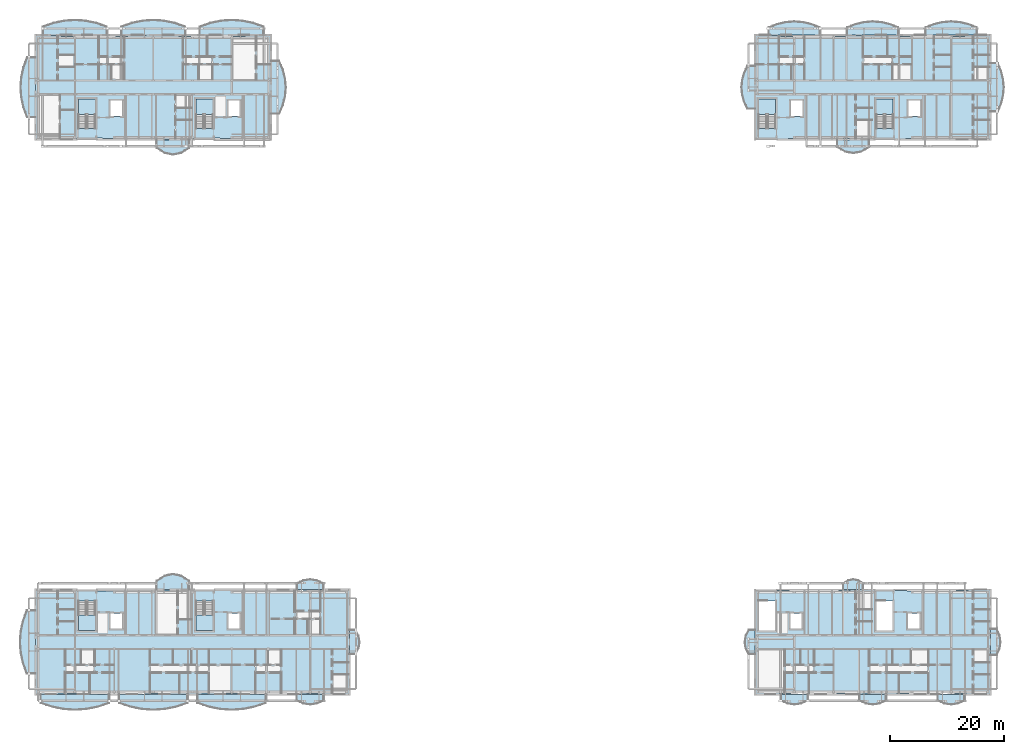
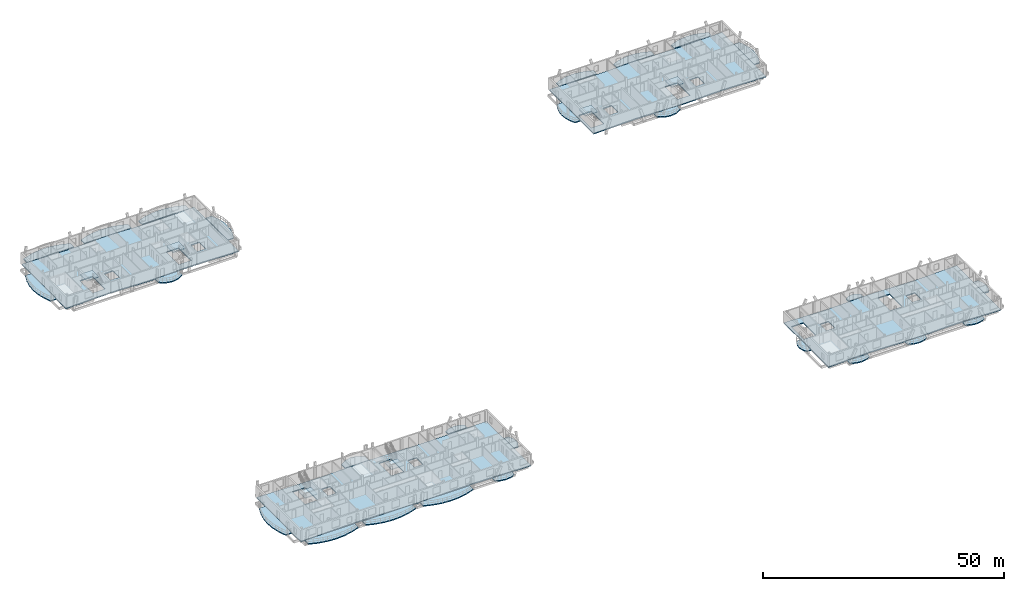
# One storey, part 8 of 41: 36 slabs, 6 elements without a shape of their own.
"""IFC4 building model written with IfcOpenShell, lengths in metres."""

from ifc_helpers import new_model, si_unit, direction, frame, origin, place, context, subcontext, project, spatial, polyline, outline, extrude, material, layer, layer_set, type_object, element, aggregate, save


model = new_model("IFC4")

# Units and contexts
model_context = context("Model", 3, precision=1e-05, world=origin(), true_north=direction((0.0, 1.0)))
body_context = subcontext(model_context, "Body", "Model", "MODEL_VIEW")
ifc_project = project(units=[si_unit("LENGTHUNIT", "METRE"), si_unit("AREAUNIT", "SQUARE_METRE"), si_unit("VOLUMEUNIT", "CUBIC_METRE"), si_unit("PLANEANGLEUNIT", "RADIAN"), si_unit("MASSUNIT", "GRAM", prefix="KILO")], contexts=[model_context])

# Site, building, storey
site_placement = place(None, origin())
site = spatial("IfcSite", under=ifc_project, at=site_placement, CompositionType="ELEMENT")
building_placement = place(site_placement, origin())
building = spatial("IfcBuilding", under=site, at=building_placement, Name="Zavelmont Quarter", CompositionType="ELEMENT")
storey_placement = place(building_placement, frame((0.0, 0.0, 27.199951171875)))
storey = spatial("IfcBuildingStorey", under=building, at=storey_placement, Name="L08", CompositionType="ELEMENT", Elevation=27.199951171875)

# Slabs
ifc_material_1 = material(Name="White architectural precast concrete C40/50", Category="concrete")
ifc_layer_1 = layer(ifc_material_1, 0.235107421875)
ifc_layer_set_1 = layer_set([ifc_layer_1], Name="White architectural precast concrete C40/50")
slab_type_1 = type_object("IfcSlabType", Name="SL-BL180", PredefinedType="FLOOR", material=ifc_layer_set_1)
slab_1_placement = place(storey_placement, frame((0.0, 0.0, -0.23486328125)))
element("IfcSlab", 1, at=slab_1_placement, inside=storey, type_object=slab_type_1, Name="L08 Block A street vase 3 balcony SL-BL180", PredefinedType="FLOOR", context=body_context, shape_type="SweptSolid", body=[
    extrude(outline(polyline([(28.5, -0.02001953125), (28.5, -1.531005859375), (30.5, -2.19921875), (32.5, -2.600341796875), (34.5, -2.73388671875), (36.5, -2.600341796875), (38.5, -2.19921875), (40.5, -1.531005859375), (40.5, -0.02001953125), (28.5, -0.02001953125)])), origin(), (0.0, 0.0, 1.0), 0.23486328125),
])
slab_2_placement = place(storey_placement, frame((0.0, 0.0, -0.23486328125)))
element("IfcSlab", 2, at=slab_2_placement, inside=storey, type_object=slab_type_1, Name="L08 Block A courtyard return vase balcony SL-BL180", PredefinedType="FLOOR", context=body_context, shape_type="SweptSolid", body=[
    extrude(outline(polyline([(55.219970703125, 7.094482421875), (56.300048828125, 7.094482421875), (56.82861328125, 8.147216796875), (57.0048828125, 9.199951171875), (56.82861328125, 10.252685546875), (56.300048828125, 11.305419921875), (55.219970703125, 11.305419921875), (55.219970703125, 7.094482421875)])), origin(), (0.0, 0.0, 1.0), 0.23486328125),
])
slab_3_placement = place(storey_placement, frame((0.0, 0.0, -0.23486328125)))
element("IfcSlab", 3, at=slab_3_placement, inside=storey, type_object=slab_type_1, Name="L08 Block A courtyard outer vase balcony SL-BL180", PredefinedType="FLOOR", context=body_context, shape_type="SweptSolid", body=[
    extrude(outline(polyline([(50.601318359375, 18.419921875), (50.601318359375, 19.5), (49.45068359375, 20.02880859375), (48.300048828125, 20.205078125), (47.1494140625, 20.02880859375), (45.998779296875, 19.5), (45.998779296875, 18.419921875), (50.601318359375, 18.419921875)])), origin(), (0.0, 0.0, 1.0), 0.23486328125),
])
slab_4_placement = place(storey_placement, frame((0.0, 0.0, -0.23486328125)))
element("IfcSlab", 4, at=slab_4_placement, inside=storey, type_object=slab_type_1, Name="L08 Block B street vase 3 balcony SL-BL180", PredefinedType="FLOOR", context=body_context, shape_type="SweptSolid", body=[
    extrude(outline(polyline([(40.109619140625, 116.02001953125), (40.109619140625, 117.476318359375), (38.23974609375, 118.12060546875), (36.369873046875, 118.507080078125), (34.5, 118.635986328125), (32.630126953125, 118.507080078125), (30.76025390625, 118.12060546875), (28.890380859375, 117.476318359375), (28.890380859375, 116.02001953125), (40.109619140625, 116.02001953125)])), origin(), (0.0, 0.0, 1.0), 0.23486328125),
])
slab_5_placement = place(storey_placement, frame((0.0, 0.0, -0.23486328125)))
element("IfcSlab", 5, at=slab_5_placement, inside=storey, type_object=slab_type_1, Name="L08 Block B courtyard return vase balcony SL-BL180", PredefinedType="FLOOR", context=body_context, shape_type="SweptSolid", body=[
    extrude(outline(polyline([(41.419921875, 102.1787109375), (42.876220703125, 102.1787109375), (43.5205078125, 103.71923828125), (43.906982421875, 105.259521484375), (44.035888671875, 106.800048828125), (43.906982421875, 108.34033203125), (43.5205078125, 109.880859375), (42.876220703125, 111.421142578125), (41.419921875, 111.421142578125), (41.419921875, 102.1787109375)])), origin(), (0.0, 0.0, 1.0), 0.23486328125),
])
slab_6_placement = place(storey_placement, frame((0.0, 0.0, -0.23486328125)))
element("IfcSlab", 6, at=slab_6_placement, inside=storey, type_object=slab_type_1, Name="L08 Block C street vase 3 balcony SL-BL180", PredefinedType="FLOOR", context=body_context, shape_type="SweptSolid", body=[
    extrude(outline(polyline([(151.79248046875, 116.02001953125), (151.79248046875, 117.328857421875), (150.295166015625, 117.908935546875), (148.797607421875, 118.257080078125), (147.300048828125, 118.373046875), (145.802490234375, 118.257080078125), (144.304931640625, 117.908935546875), (142.807373046875, 117.328857421875), (142.807373046875, 116.02001953125), (151.79248046875, 116.02001953125)])), origin(), (0.0, 0.0, 1.0), 0.23486328125),
])
slab_7_placement = place(storey_placement, frame((0.0, 0.0, -0.23486328125)))
element("IfcSlab", 7, at=slab_7_placement, inside=storey, type_object=slab_type_1, Name="L08 Block C courtyard return vase balcony SL-BL180", PredefinedType="FLOOR", context=body_context, shape_type="SweptSolid", body=[
    extrude(outline(polyline([(126.580078125, 110.572265625), (125.27099609375, 110.572265625), (124.69091796875, 109.314697265625), (124.343017578125, 108.057373046875), (124.22705078125, 106.800048828125), (124.343017578125, 105.54248046875), (124.69091796875, 104.28515625), (125.27099609375, 103.02783203125), (126.580078125, 103.02783203125), (126.580078125, 110.572265625)])), origin(), (0.0, 0.0, 1.0), 0.23486328125),
])
slab_8_placement = place(storey_placement, frame((0.0, 0.0, -0.23486328125)))
element("IfcSlab", 8, at=slab_8_placement, inside=storey, type_object=slab_type_1, Name="L08 Block D street vase 3 balcony SL-BL180", PredefinedType="FLOOR", context=body_context, shape_type="SweptSolid", body=[
    extrude(outline(polyline([(144.947265625, -0.02001953125), (144.947265625, -1.10009765625), (146.12353515625, -1.628662109375), (147.300048828125, -1.804931640625), (148.476318359375, -1.628662109375), (149.652587890625, -1.10009765625), (149.652587890625, -0.02001953125), (144.947265625, -0.02001953125)])), origin(), (0.0, 0.0, 1.0), 0.23486328125),
])
slab_9_placement = place(storey_placement, frame((0.0, 0.0, -0.23486328125)))
element("IfcSlab", 9, at=slab_9_placement, inside=storey, type_object=slab_type_1, Name="L08 Block D courtyard return vase balcony SL-BL180", PredefinedType="FLOOR", context=body_context, shape_type="SweptSolid", body=[
    extrude(outline(polyline([(126.580078125, 11.305419921875), (125.5, 11.305419921875), (124.97119140625, 10.252685546875), (124.794921875, 9.199951171875), (124.97119140625, 8.147216796875), (125.5, 7.094482421875), (126.580078125, 7.094482421875), (126.580078125, 11.305419921875)])), origin(), (0.0, 0.0, 1.0), 0.23486328125),
])
ifc_layer_2 = layer(ifc_material_1, 0.2451171875)
ifc_layer_set_2 = layer_set([ifc_layer_2], Name="White architectural precast concrete C40/50")
slab_type_2 = type_object("IfcSlabType", Name="SL-BL200", PredefinedType="FLOOR", material=ifc_layer_set_2)
slab_10_placement = place(storey_placement, frame((0.0, 0.0, -0.244873046875)))
element("IfcSlab", 10, at=slab_10_placement, inside=storey, type_object=slab_type_2, Name="L08 Block A street vase 2 balcony SL-BL200", PredefinedType="FLOOR", context=body_context, shape_type="SweptSolid", body=[
    extrude(outline(polyline([(14.699951171875, -0.02001953125), (14.699951171875, -1.531005859375), (16.699951171875, -2.19921875), (18.699951171875, -2.600341796875), (20.699951171875, -2.73388671875), (22.699951171875, -2.600341796875), (24.699951171875, -2.19921875), (26.699951171875, -1.531005859375), (26.699951171875, -0.02001953125), (14.699951171875, -0.02001953125)])), origin(), (0.0, 0.0, 1.0), 0.244873046875),
])
slab_11_placement = place(storey_placement, frame((0.0, 0.0, -0.244873046875)))
element("IfcSlab", 11, at=slab_11_placement, inside=storey, type_object=slab_type_2, Name="L08 Block A boulevard vase balcony SL-BL200", PredefinedType="FLOOR", context=body_context, shape_type="SweptSolid", body=[
    extrude(outline(polyline([(-0.02001953125, 14.75), (-1.531005859375, 14.75), (-2.19921875, 12.89990234375), (-2.600341796875, 11.050048828125), (-2.73388671875, 9.199951171875), (-2.600341796875, 7.35009765625), (-2.19921875, 5.5), (-1.531005859375, 3.64990234375), (-0.02001953125, 3.64990234375), (-0.02001953125, 14.75)])), origin(), (0.0, 0.0, 1.0), 0.244873046875),
])
slab_12_placement = place(storey_placement, frame((0.0, 0.0, -0.244873046875)))
element("IfcSlab", 12, at=slab_12_placement, inside=storey, type_object=slab_type_2, Name="L08 Block B street vase 2 balcony SL-BL200", PredefinedType="FLOOR", context=body_context, shape_type="SweptSolid", body=[
    extrude(outline(polyline([(26.309814453125, 116.02001953125), (26.309814453125, 117.476318359375), (24.439697265625, 118.12060546875), (22.56982421875, 118.507080078125), (20.699951171875, 118.635986328125), (18.830078125, 118.507080078125), (16.960205078125, 118.12060546875), (15.09033203125, 117.476318359375), (15.09033203125, 116.02001953125), (26.309814453125, 116.02001953125)])), origin(), (0.0, 0.0, 1.0), 0.244873046875),
])
slab_13_placement = place(storey_placement, frame((0.0, 0.0, -0.244873046875)))
element("IfcSlab", 13, at=slab_13_placement, inside=storey, type_object=slab_type_2, Name="L08 Block B boulevard vase balcony SL-BL200", PredefinedType="FLOOR", context=body_context, shape_type="SweptSolid", body=[
    extrude(outline(polyline([(-0.02001953125, 112.052978515625), (-1.476318359375, 112.052978515625), (-2.12060546875, 110.302001953125), (-2.507080078125, 108.551025390625), (-2.635986328125, 106.800048828125), (-2.507080078125, 105.049072265625), (-2.12060546875, 103.298095703125), (-1.476318359375, 101.547119140625), (-0.02001953125, 101.547119140625), (-0.02001953125, 112.052978515625)])), origin(), (0.0, 0.0, 1.0), 0.244873046875),
])
slab_14_placement = place(storey_placement, frame((0.0, 0.0, -0.244873046875)))
element("IfcSlab", 14, at=slab_14_placement, inside=storey, type_object=slab_type_2, Name="L08 Block C street vase 2 balcony SL-BL200", PredefinedType="FLOOR", context=body_context, shape_type="SweptSolid", body=[
    extrude(outline(polyline([(137.99267578125, 116.02001953125), (137.99267578125, 117.328857421875), (136.4951171875, 117.908935546875), (134.99755859375, 118.257080078125), (133.5, 118.373046875), (132.00244140625, 118.257080078125), (130.5048828125, 117.908935546875), (129.00732421875, 117.328857421875), (129.00732421875, 116.02001953125), (137.99267578125, 116.02001953125)])), origin(), (0.0, 0.0, 1.0), 0.244873046875),
])
slab_15_placement = place(storey_placement, frame((0.0, 0.0, -0.244873046875)))
element("IfcSlab", 15, at=slab_15_placement, inside=storey, type_object=slab_type_2, Name="L08 Block C boulevard vase balcony SL-BL200", PredefinedType="FLOOR", context=body_context, shape_type="SweptSolid", body=[
    extrude(outline(polyline([(168.02001953125, 102.568115234375), (169.328857421875, 102.568115234375), (169.908935546875, 103.978759765625), (170.257080078125, 105.389404296875), (170.373046875, 106.800048828125), (170.257080078125, 108.210693359375), (169.908935546875, 109.621337890625), (169.328857421875, 111.031982421875), (168.02001953125, 111.031982421875), (168.02001953125, 102.568115234375)])), origin(), (0.0, 0.0, 1.0), 0.244873046875),
])
slab_16_placement = place(storey_placement, frame((0.0, 0.0, -0.244873046875)))
element("IfcSlab", 16, at=slab_16_placement, inside=storey, type_object=slab_type_2, Name="L08 Block D street vase 2 balcony SL-BL200", PredefinedType="FLOOR", context=body_context, shape_type="SweptSolid", body=[
    extrude(outline(polyline([(131.147216796875, -0.02001953125), (131.147216796875, -1.10009765625), (132.323486328125, -1.628662109375), (133.5, -1.804931640625), (134.676513671875, -1.628662109375), (135.852783203125, -1.10009765625), (135.852783203125, -0.02001953125), (131.147216796875, -0.02001953125)])), origin(), (0.0, 0.0, 1.0), 0.244873046875),
])
slab_17_placement = place(storey_placement, frame((0.0, 0.0, -0.244873046875)))
element("IfcSlab", 17, at=slab_17_placement, inside=storey, type_object=slab_type_2, Name="L08 Block D boulevard vase balcony SL-BL200", PredefinedType="FLOOR", context=body_context, shape_type="SweptSolid", body=[
    extrude(outline(polyline([(168.02001953125, 6.898681640625), (169.10009765625, 6.898681640625), (169.628662109375, 8.04931640625), (169.804931640625, 9.199951171875), (169.628662109375, 10.3505859375), (169.10009765625, 11.501220703125), (168.02001953125, 11.501220703125), (168.02001953125, 6.898681640625)])), origin(), (0.0, 0.0, 1.0), 0.244873046875),
])
ifc_layer_3 = layer(ifc_material_1, 0.2548828125)
ifc_layer_set_3 = layer_set([ifc_layer_3], Name="White architectural precast concrete C40/50")
slab_type_3 = type_object("IfcSlabType", Name="SL-BL220", PredefinedType="FLOOR", material=ifc_layer_set_3)
slab_18_placement = place(storey_placement, frame((0.0, 0.0, -0.2548828125)))
element("IfcSlab", 18, at=slab_18_placement, inside=storey, type_object=slab_type_3, Name="L08 Block A street vase 1 balcony SL-BL220", PredefinedType="FLOOR", context=body_context, shape_type="SweptSolid", body=[
    extrude(outline(polyline([(0.89990234375, -0.02001953125), (0.89990234375, -1.531005859375), (2.89990234375, -2.19921875), (4.89990234375, -2.600341796875), (6.89990234375, -2.73388671875), (8.89990234375, -2.600341796875), (10.89990234375, -2.19921875), (12.89990234375, -1.531005859375), (12.89990234375, -0.02001953125), (0.89990234375, -0.02001953125)])), origin(), (0.0, 0.0, 1.0), 0.2548828125),
])
slab_19_placement = place(storey_placement, frame((0.0, 0.0, -0.2548828125)))
element("IfcSlab", 19, at=slab_19_placement, inside=storey, type_object=slab_type_3, Name="L08 Block A street vase 4 balcony SL-BL220", PredefinedType="FLOOR", context=body_context, shape_type="SweptSolid", body=[
    extrude(outline(polyline([(45.947265625, -0.02001953125), (45.947265625, -1.10009765625), (47.12353515625, -1.628662109375), (48.300048828125, -1.804931640625), (49.476318359375, -1.628662109375), (50.652587890625, -1.10009765625), (50.652587890625, -0.02001953125), (45.947265625, -0.02001953125)])), origin(), (0.0, 0.0, 1.0), 0.2548828125),
])
slab_20_placement = place(storey_placement, frame((0.0, 0.0, -0.2548828125)))
element("IfcSlab", 20, at=slab_20_placement, inside=storey, type_object=slab_type_3, Name="L08 Block A courtyard central vase balcony SL-BL220", PredefinedType="FLOOR", context=body_context, shape_type="SweptSolid", body=[
    extrude(outline(polyline([(27.0, 18.419921875), (27.0, 19.930908203125), (25.574951171875, 20.833251953125), (24.14990234375, 21.134033203125), (22.72509765625, 20.833251953125), (21.300048828125, 19.930908203125), (21.300048828125, 18.419921875), (27.0, 18.419921875)])), origin(), (0.0, 0.0, 1.0), 0.2548828125),
])
slab_21_placement = place(storey_placement, frame((0.0, 0.0, -0.2548828125)))
element("IfcSlab", 21, at=slab_21_placement, inside=storey, type_object=slab_type_3, Name="L08 Block B street vase 1 balcony SL-BL220", PredefinedType="FLOOR", context=body_context, shape_type="SweptSolid", body=[
    extrude(outline(polyline([(12.509765625, 116.02001953125), (12.509765625, 117.476318359375), (10.639892578125, 118.12060546875), (8.77001953125, 118.507080078125), (6.89990234375, 118.635986328125), (5.030029296875, 118.507080078125), (3.16015625, 118.12060546875), (1.290283203125, 117.476318359375), (1.290283203125, 116.02001953125), (12.509765625, 116.02001953125)])), origin(), (0.0, 0.0, 1.0), 0.2548828125),
])
slab_22_placement = place(storey_placement, frame((0.0, 0.0, -0.2548828125)))
element("IfcSlab", 22, at=slab_22_placement, inside=storey, type_object=slab_type_3, Name="L08 Block B courtyard central vase balcony SL-BL220", PredefinedType="FLOOR", context=body_context, shape_type="SweptSolid", body=[
    extrude(outline(polyline([(21.300048828125, 97.580078125), (21.300048828125, 96.123779296875), (22.72509765625, 95.25390625), (24.14990234375, 94.964111328125), (25.574951171875, 95.25390625), (27.0, 96.123779296875), (27.0, 97.580078125), (21.300048828125, 97.580078125)])), origin(), (0.0, 0.0, 1.0), 0.2548828125),
])
slab_23_placement = place(storey_placement, frame((0.0, 0.0, -0.2548828125)))
element("IfcSlab", 23, at=slab_23_placement, inside=storey, type_object=slab_type_3, Name="L08 Block C street vase 4 balcony SL-BL220", PredefinedType="FLOOR", context=body_context, shape_type="SweptSolid", body=[
    extrude(outline(polyline([(165.592529296875, 116.02001953125), (165.592529296875, 117.328857421875), (164.09521484375, 117.908935546875), (162.597412109375, 118.257080078125), (161.10009765625, 118.373046875), (159.6025390625, 118.257080078125), (158.10498046875, 117.908935546875), (156.607421875, 117.328857421875), (156.607421875, 116.02001953125), (165.592529296875, 116.02001953125)])), origin(), (0.0, 0.0, 1.0), 0.2548828125),
])
slab_24_placement = place(storey_placement, frame((0.0, 0.0, -0.2548828125)))
element("IfcSlab", 24, at=slab_24_placement, inside=storey, type_object=slab_type_3, Name="L08 Block C courtyard central vase balcony SL-BL220", PredefinedType="FLOOR", context=body_context, shape_type="SweptSolid", body=[
    extrude(outline(polyline([(141.050048828125, 97.580078125), (141.050048828125, 96.27099609375), (142.449951171875, 95.488037109375), (143.85009765625, 95.22705078125), (145.25, 95.488037109375), (146.64990234375, 96.27099609375), (146.64990234375, 97.580078125), (141.050048828125, 97.580078125)])), origin(), (0.0, 0.0, 1.0), 0.2548828125),
])
slab_25_placement = place(storey_placement, frame((0.0, 0.0, -0.2548828125)))
element("IfcSlab", 25, at=slab_25_placement, inside=storey, type_object=slab_type_3, Name="L08 Block D street vase 4 balcony SL-BL220", PredefinedType="FLOOR", context=body_context, shape_type="SweptSolid", body=[
    extrude(outline(polyline([(158.747314453125, -0.02001953125), (158.747314453125, -1.10009765625), (159.923583984375, -1.628662109375), (161.10009765625, -1.804931640625), (162.2763671875, -1.628662109375), (163.45263671875, -1.10009765625), (163.45263671875, -0.02001953125), (158.747314453125, -0.02001953125)])), origin(), (0.0, 0.0, 1.0), 0.2548828125),
])
slab_26_placement = place(storey_placement, frame((0.0, 0.0, -0.2548828125)))
element("IfcSlab", 26, at=slab_26_placement, inside=storey, type_object=slab_type_3, Name="L08 Block D courtyard central vase balcony SL-BL220", PredefinedType="FLOOR", context=body_context, shape_type="SweptSolid", body=[
    extrude(outline(polyline([(145.60546875, 18.419921875), (145.60546875, 19.5), (144.727783203125, 20.02880859375), (143.85009765625, 20.205078125), (142.972412109375, 20.02880859375), (142.094482421875, 19.5), (142.094482421875, 18.419921875), (145.60546875, 18.419921875)])), origin(), (0.0, 0.0, 1.0), 0.2548828125),
])
ifc_material_2 = material(Name="Concrete C35/45", Category="concrete")
ifc_layer_4 = layer(ifc_material_2, 0.25)
ifc_layer_set_4 = layer_set([ifc_layer_4], Name="Concrete C35/45")
slab_type_4 = type_object("IfcSlabType", Name="SL-FL250", PredefinedType="FLOOR", material=ifc_layer_set_4)
slab_27_placement = place(storey_placement, frame((0.0, 0.0, -0.25)))
element("IfcSlab", 27, at=slab_27_placement, inside=storey, type_object=slab_type_4, Name="L08 Block A floor slab SL-FL250", PredefinedType="FLOOR", context=body_context, shape_type="SweptSolid", body=[
    extrude(outline(polyline([(0.0, 0.0), (3.449951171875, 0.041015625), (6.89990234375, 0.139892578125), (10.35009765625, 0.239013671875), (13.800048828125, 0.280029296875), (17.25, 0.239013671875), (20.699951171875, 0.139892578125), (24.14990234375, 0.041015625), (27.60009765625, 0.0), (31.050048828125, 0.041015625), (34.5, 0.139892578125), (37.949951171875, 0.239013671875), (41.39990234375, 0.280029296875), (44.85009765625, 0.239013671875), (48.300048828125, 0.139892578125), (51.75, 0.041015625), (55.199951171875, 0.0), (55.199951171875, 3.679931640625), (55.199951171875, 7.360107421875), (55.199951171875, 11.0400390625), (55.199951171875, 14.719970703125), (55.199951171875, 18.39990234375), (51.75, 18.35888671875), (48.300048828125, 18.260009765625), (44.85009765625, 18.160888671875), (41.39990234375, 18.1201171875), (37.949951171875, 18.160888671875), (34.5, 18.260009765625), (31.050048828125, 18.35888671875), (27.60009765625, 18.39990234375), (24.14990234375, 18.35888671875), (20.699951171875, 18.260009765625), (17.25, 18.160888671875), (13.800048828125, 18.1201171875), (10.35009765625, 18.160888671875), (6.89990234375, 18.260009765625), (3.449951171875, 18.35888671875), (0.0, 18.39990234375), (0.0, 14.719970703125), (0.0, 11.0400390625), (0.0, 7.360107421875), (0.0, 3.679931640625), (0.0, 0.0)]), holes=[polyline([(7.5, 16.425048828125), (7.5, 11.199951171875), (10.5, 11.199951171875), (10.5, 16.425048828125), (7.5, 16.425048828125)]), polyline([(13.14990234375, 11.5), (15.25, 11.5), (15.25, 14.25), (13.14990234375, 14.25), (13.14990234375, 11.5)]), polyline([(28.199951171875, 16.425048828125), (28.199951171875, 11.199951171875), (31.199951171875, 11.199951171875), (31.199951171875, 16.425048828125), (28.199951171875, 16.425048828125)]), polyline([(33.85009765625, 11.5), (35.949951171875, 11.5), (35.949951171875, 14.25), (33.85009765625, 14.25), (33.85009765625, 11.5)])]), origin(), (0.0, 0.0, 1.0), 0.25),
])
slab_28_placement = place(storey_placement, frame((0.0, 0.0, -0.25)))
element("IfcSlab", 28, at=slab_28_placement, inside=storey, type_object=slab_type_4, Name="L08 Block B floor slab SL-FL250", PredefinedType="FLOOR", context=body_context, shape_type="SweptSolid", body=[
    extrude(outline(polyline([(0.0, 97.60009765625), (3.449951171875, 97.669921875), (6.89990234375, 97.81005859375), (10.35009765625, 97.8798828125), (13.800048828125, 97.81005859375), (17.25, 97.669921875), (20.699951171875, 97.60009765625), (24.14990234375, 97.669921875), (27.60009765625, 97.81005859375), (31.050048828125, 97.8798828125), (34.5, 97.81005859375), (37.949951171875, 97.669921875), (41.39990234375, 97.60009765625), (41.39990234375, 101.280029296875), (41.39990234375, 104.9599609375), (41.39990234375, 108.639892578125), (41.39990234375, 112.320068359375), (41.39990234375, 116.0), (37.949951171875, 115.929931640625), (34.5, 115.7900390625), (31.050048828125, 115.719970703125), (27.60009765625, 115.7900390625), (24.14990234375, 115.929931640625), (20.699951171875, 116.0), (17.25, 115.929931640625), (13.800048828125, 115.7900390625), (10.35009765625, 115.719970703125), (6.89990234375, 115.7900390625), (3.449951171875, 115.929931640625), (0.0, 116.0), (0.0, 112.320068359375), (0.0, 108.639892578125), (0.0, 104.9599609375), (0.0, 101.280029296875), (0.0, 97.60009765625)]), holes=[polyline([(10.5, 99.574951171875), (10.5, 104.800048828125), (7.5, 104.800048828125), (7.5, 99.574951171875), (10.5, 99.574951171875)]), polyline([(13.14990234375, 101.75), (15.25, 101.75), (15.25, 104.5), (13.14990234375, 104.5), (13.14990234375, 101.75)]), polyline([(31.199951171875, 99.574951171875), (31.199951171875, 104.800048828125), (28.199951171875, 104.800048828125), (28.199951171875, 99.574951171875), (31.199951171875, 99.574951171875)]), polyline([(33.85009765625, 101.75), (35.949951171875, 101.75), (35.949951171875, 104.5), (33.85009765625, 104.5), (33.85009765625, 101.75)])]), origin(), (0.0, 0.0, 1.0), 0.25),
])
slab_29_placement = place(storey_placement, frame((0.0, 0.0, -0.25)))
element("IfcSlab", 29, at=slab_29_placement, inside=storey, type_object=slab_type_4, Name="L08 Block C floor slab SL-FL250", PredefinedType="FLOOR", context=body_context, shape_type="SweptSolid", body=[
    extrude(outline(polyline([(126.60009765625, 97.60009765625), (130.050048828125, 97.669921875), (133.5, 97.81005859375), (136.949951171875, 97.8798828125), (140.39990234375, 97.81005859375), (143.85009765625, 97.669921875), (147.300048828125, 97.60009765625), (150.75, 97.669921875), (154.199951171875, 97.81005859375), (157.64990234375, 97.8798828125), (161.10009765625, 97.81005859375), (164.550048828125, 97.669921875), (168.0, 97.60009765625), (168.0, 101.280029296875), (168.0, 104.9599609375), (168.0, 108.639892578125), (168.0, 112.320068359375), (168.0, 116.0), (164.550048828125, 115.929931640625), (161.10009765625, 115.7900390625), (157.64990234375, 115.719970703125), (154.199951171875, 115.7900390625), (150.75, 115.929931640625), (147.300048828125, 116.0), (143.85009765625, 115.929931640625), (140.39990234375, 115.7900390625), (136.949951171875, 115.719970703125), (133.5, 115.7900390625), (130.050048828125, 115.929931640625), (126.60009765625, 116.0), (126.60009765625, 112.320068359375), (126.60009765625, 108.639892578125), (126.60009765625, 104.9599609375), (126.60009765625, 101.280029296875), (126.60009765625, 97.60009765625)]), holes=[polyline([(130.199951171875, 99.574951171875), (130.199951171875, 104.800048828125), (127.199951171875, 104.800048828125), (127.199951171875, 99.574951171875), (130.199951171875, 99.574951171875)]), polyline([(132.85009765625, 101.75), (134.949951171875, 101.75), (134.949951171875, 104.5), (132.85009765625, 104.5), (132.85009765625, 101.75)]), polyline([(150.89990234375, 99.574951171875), (150.89990234375, 104.800048828125), (147.89990234375, 104.800048828125), (147.89990234375, 99.574951171875), (150.89990234375, 99.574951171875)]), polyline([(153.550048828125, 101.75), (155.64990234375, 101.75), (155.64990234375, 104.5), (153.550048828125, 104.5), (153.550048828125, 101.75)])]), origin(), (0.0, 0.0, 1.0), 0.25),
])
slab_30_placement = place(storey_placement, frame((0.0, 0.0, -0.25)))
element("IfcSlab", 30, at=slab_30_placement, inside=storey, type_object=slab_type_4, Name="L08 Block D floor slab SL-FL250", PredefinedType="FLOOR", context=body_context, shape_type="SweptSolid", body=[
    extrude(outline(polyline([(126.60009765625, 0.0), (130.050048828125, 0.070068359375), (133.5, 0.2099609375), (136.949951171875, 0.280029296875), (140.39990234375, 0.2099609375), (143.85009765625, 0.070068359375), (147.300048828125, 0.0), (150.75, 0.070068359375), (154.199951171875, 0.2099609375), (157.64990234375, 0.280029296875), (161.10009765625, 0.2099609375), (164.550048828125, 0.070068359375), (168.0, 0.0), (168.0, 3.679931640625), (168.0, 7.360107421875), (168.0, 11.0400390625), (168.0, 14.719970703125), (168.0, 18.39990234375), (164.550048828125, 18.330078125), (161.10009765625, 18.18994140625), (157.64990234375, 18.1201171875), (154.199951171875, 18.18994140625), (150.75, 18.330078125), (147.300048828125, 18.39990234375), (143.85009765625, 18.330078125), (140.39990234375, 18.18994140625), (136.949951171875, 18.1201171875), (133.5, 18.18994140625), (130.050048828125, 18.330078125), (126.60009765625, 18.39990234375), (126.60009765625, 14.719970703125), (126.60009765625, 11.0400390625), (126.60009765625, 7.360107421875), (126.60009765625, 3.679931640625), (126.60009765625, 0.0)]), holes=[polyline([(127.199951171875, 16.425048828125), (127.199951171875, 11.199951171875), (130.10009765625, 11.199951171875), (130.10009765625, 16.425048828125), (127.199951171875, 16.425048828125)]), polyline([(132.75, 11.5), (134.85009765625, 11.5), (134.85009765625, 14.25), (132.75, 14.25), (132.75, 11.5)]), polyline([(147.89990234375, 16.425048828125), (147.89990234375, 11.199951171875), (150.800048828125, 11.199951171875), (150.800048828125, 16.425048828125), (147.89990234375, 16.425048828125)]), polyline([(153.449951171875, 11.5), (155.550048828125, 11.5), (155.550048828125, 14.25), (153.449951171875, 14.25), (153.449951171875, 11.5)])]), origin(), (0.0, 0.0, 1.0), 0.25),
])

# Stair, slab
stair_type = type_object("IfcStairType", Name="STR-1400-1778", PredefinedType="HALF_TURN_STAIR", material=ifc_material_2)
stair_1_placement = place(storey_placement, origin())
stair_1 = element("IfcStair", 31, at=stair_1_placement, inside=storey, type_object=stair_type, Name="L08 protected stair ST01", PredefinedType="HALF_TURN_STAIR")
ifc_layer_5 = layer(ifc_material_2, 0.199951171875)
ifc_layer_set_5 = layer_set([ifc_layer_5], Name="Concrete C35/45")
slab_type_5 = type_object("IfcSlabType", Name="SL-LND200", PredefinedType="LANDING", material=ifc_layer_set_5)
slab_31_placement = place(storey_placement, frame((0.0, 0.0, 1.400146484375)))
slab_31 = element("IfcSlab", 32, at=slab_31_placement, type_object=slab_type_5, Name="ST01 landing 1", PredefinedType="LANDING", context=body_context, shape_type="SweptSolid", body=[
    extrude(outline(polyline([(7.5, 13.969970703125), (7.5, 11.199951171875), (10.5, 11.199951171875), (10.5, 13.969970703125), (7.5, 13.969970703125)])), origin(), (0.0, 0.0, 1.0), 0.199951171875),
])
aggregate(stair_1, [slab_31])

stair_2_placement = place(storey_placement, origin())
stair_2 = element("IfcStair", 33, at=stair_2_placement, inside=storey, type_object=stair_type, Name="L08 protected stair ST02", PredefinedType="HALF_TURN_STAIR")
slab_32_placement = place(storey_placement, frame((0.0, 0.0, 1.400146484375)))
slab_32 = element("IfcSlab", 34, at=slab_32_placement, type_object=slab_type_5, Name="ST02 landing 1", PredefinedType="LANDING", context=body_context, shape_type="SweptSolid", body=[
    extrude(outline(polyline([(28.199951171875, 13.969970703125), (28.199951171875, 11.199951171875), (31.199951171875, 11.199951171875), (31.199951171875, 13.969970703125), (28.199951171875, 13.969970703125)])), origin(), (0.0, 0.0, 1.0), 0.199951171875),
])
aggregate(stair_2, [slab_32])

stair_3_placement = place(storey_placement, origin())
stair_3 = element("IfcStair", 35, at=stair_3_placement, inside=storey, type_object=stair_type, Name="L08 protected stair ST03", PredefinedType="HALF_TURN_STAIR")
slab_33_placement = place(storey_placement, frame((0.0, 0.0, 1.400146484375)))
slab_33 = element("IfcSlab", 36, at=slab_33_placement, type_object=slab_type_5, Name="ST03 landing 1", PredefinedType="LANDING", context=body_context, shape_type="SweptSolid", body=[
    extrude(outline(polyline([(10.5, 102.030029296875), (10.5, 104.800048828125), (7.5, 104.800048828125), (7.5, 102.030029296875), (10.5, 102.030029296875)])), origin(), (0.0, 0.0, 1.0), 0.199951171875),
])
aggregate(stair_3, [slab_33])

stair_4_placement = place(storey_placement, origin())
stair_4 = element("IfcStair", 37, at=stair_4_placement, inside=storey, type_object=stair_type, Name="L08 protected stair ST04", PredefinedType="HALF_TURN_STAIR")
slab_34_placement = place(storey_placement, frame((0.0, 0.0, 1.400146484375)))
slab_34 = element("IfcSlab", 38, at=slab_34_placement, type_object=slab_type_5, Name="ST04 landing 1", PredefinedType="LANDING", context=body_context, shape_type="SweptSolid", body=[
    extrude(outline(polyline([(31.199951171875, 102.030029296875), (31.199951171875, 104.800048828125), (28.199951171875, 104.800048828125), (28.199951171875, 102.030029296875), (31.199951171875, 102.030029296875)])), origin(), (0.0, 0.0, 1.0), 0.199951171875),
])
aggregate(stair_4, [slab_34])

stair_5_placement = place(storey_placement, origin())
stair_5 = element("IfcStair", 39, at=stair_5_placement, inside=storey, type_object=stair_type, Name="L08 protected stair ST05", PredefinedType="HALF_TURN_STAIR")
slab_35_placement = place(storey_placement, frame((0.0, 0.0, 1.400146484375)))
slab_35 = element("IfcSlab", 40, at=slab_35_placement, type_object=slab_type_5, Name="ST05 landing 1", PredefinedType="LANDING", context=body_context, shape_type="SweptSolid", body=[
    extrude(outline(polyline([(130.199951171875, 102.030029296875), (130.199951171875, 104.800048828125), (127.199951171875, 104.800048828125), (127.199951171875, 102.030029296875), (130.199951171875, 102.030029296875)])), origin(), (0.0, 0.0, 1.0), 0.199951171875),
])
aggregate(stair_5, [slab_35])

stair_6_placement = place(storey_placement, origin())
stair_6 = element("IfcStair", 41, at=stair_6_placement, inside=storey, type_object=stair_type, Name="L08 protected stair ST06", PredefinedType="HALF_TURN_STAIR")
slab_36_placement = place(storey_placement, frame((0.0, 0.0, 1.400146484375)))
slab_36 = element("IfcSlab", 42, at=slab_36_placement, type_object=slab_type_5, Name="ST06 landing 1", PredefinedType="LANDING", context=body_context, shape_type="SweptSolid", body=[
    extrude(outline(polyline([(150.89990234375, 102.030029296875), (150.89990234375, 104.800048828125), (147.89990234375, 104.800048828125), (147.89990234375, 102.030029296875), (150.89990234375, 102.030029296875)])), origin(), (0.0, 0.0, 1.0), 0.199951171875),
])
aggregate(stair_6, [slab_36])

save(model, "model.ifc")
